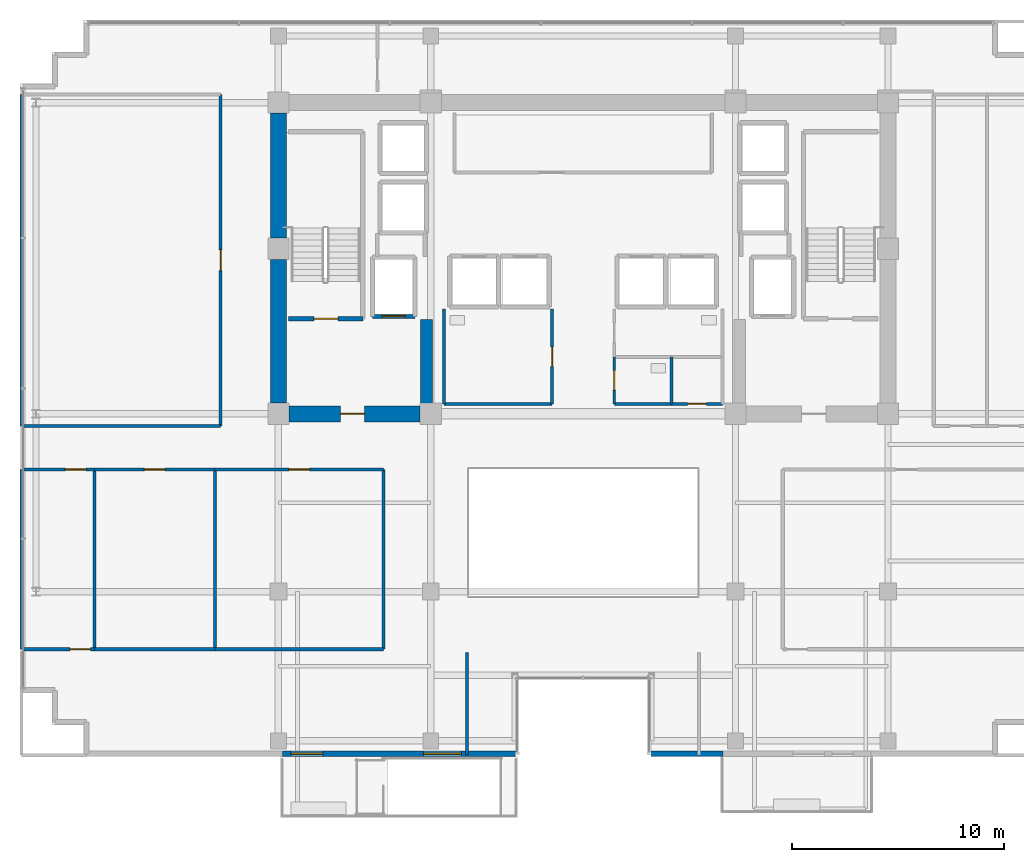
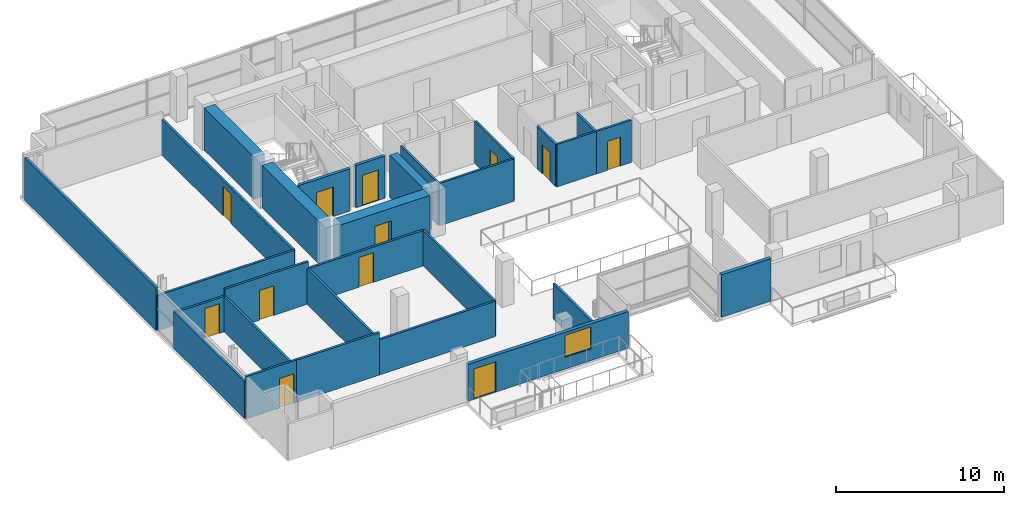
# One storey, part 17 of 23: 29 walls, 12 doors, 1 window, 13 openings.
"""IFC4 building model written with IfcOpenShell, lengths in metres."""

from ifc_helpers import new_model, si_unit, direction, frame, frame_2d, origin, place, context, subcontext, project, spatial, rectangle, extrude, source, transform, mapped, material, layer, layer_set, type_object, element, fill, save


model = new_model("IFC4")

# Units and contexts
model_context = context("Model", 3, precision=1e-05, world=origin(), true_north=direction((0.0, 1.0)))
body_context = subcontext(model_context, "Body", "Model", "MODEL_VIEW")
ifc_project = project(units=[si_unit("LENGTHUNIT", "METRE"), si_unit("AREAUNIT", "SQUARE_METRE"), si_unit("VOLUMEUNIT", "CUBIC_METRE"), si_unit("PLANEANGLEUNIT", "RADIAN"), si_unit("MASSUNIT", "GRAM", prefix="KILO")], contexts=[model_context])

# Site, building, storey
site_placement = place(None, origin())
site = spatial("IfcSite", under=ifc_project, at=site_placement, CompositionType="ELEMENT")
building_placement = place(site_placement, origin())
building = spatial("IfcBuilding", under=site, at=building_placement, Name="Zarnakvel Exchange Tower", CompositionType="ELEMENT")
storey_placement = place(building_placement, frame((0.0, 0.0, 149.5)))
storey = spatial("IfcBuildingStorey", under=building, at=storey_placement, Name="L41", CompositionType="ELEMENT", Elevation=149.5)

# Walls
ifc_material_1 = material(Name="Concrete C60/75", Category="concrete")
ifc_layer_1 = layer(ifc_material_1, 0.75)
ifc_layer_set_1 = layer_set([ifc_layer_1], Name="Concrete C60/75")
wall_type_1 = type_object("IfcWallType", Name="CW-C3", PredefinedType="SHEAR", material=ifc_layer_set_1)
wall_1_placement = place(storey_placement, frame((-14.39990234375, -0.699951171875, 0.0), z_axis=(0.0, 0.0, 1.0), x_axis=(0.0, 1.0, 0.0)))
element("IfcWall", 1, at=wall_1_placement, inside=storey, type_object=wall_type_1, Name="L41 Rear Core Shear Wall W1 (CW-C3)", PredefinedType="SHEAR", context=body_context, shape_type="SweptSolid", body=[
    extrude(rectangle(XDim=6.800048828125, YDim=0.75, at=frame_2d((3.39990234375, 0.0))), origin(), (0.0, 0.0, 1.0), 3.074951171875),
])
wall_2_placement = place(storey_placement, frame((-14.39990234375, 7.10009765625, 0.0), z_axis=(0.0, 0.0, 1.0), x_axis=(0.0, 1.0, 0.0)))
element("IfcWall", 2, at=wall_2_placement, inside=storey, type_object=wall_type_1, Name="L41 Rear Core Shear Wall W2 (CW-C3)", PredefinedType="SHEAR", context=body_context, shape_type="SweptSolid", body=[
    extrude(rectangle(XDim=5.89990234375, YDim=0.75, at=frame_2d((2.949951171875, 0.0))), origin(), (0.0, 0.0, 1.0), 3.074951171875),
])

# Wall, opening, door
wall_3_placement = place(storey_placement, frame((-7.699951171875, -1.199951171875, 0.0), z_axis=(0.0, 0.0, 1.0), x_axis=(-1.0, 0.0, 0.0)))
wall_3 = element("IfcWall", 3, at=wall_3_placement, inside=storey, type_object=wall_type_1, Name="L41 Rear Core Shear Wall SW (CW-C3)", PredefinedType="SHEAR", context=body_context, shape_type="SweptSolid", body=[
    extrude(rectangle(XDim=6.199951171875, YDim=0.75, at=frame_2d((3.10009765625, 0.0))), origin(), (0.0, 0.0, 1.0), 3.074951171875),
])
opening_1_placement = place(wall_3_placement, frame((2.625, 0.0, 0.0)))
opening_1 = element("IfcOpeningElement", 4, at=opening_1_placement, cuts=wall_3, Name="Opening D-L41-03", PredefinedType="OPENING", context=body_context, shape_type="SweptSolid", body=[
    extrude(rectangle(XDim=1.14990234375, YDim=2.14990234375, at=frame_2d((0.574951171875, 1.074951171875))), frame((0.0, 0.385009765625, 0.0), z_axis=(0.0, -1.0, 0.0), x_axis=(1.0, 0.0, 0.0)), (0.0, 0.0, 1.0), 0.77001953125),
])
ifc_material_2 = material(Name="Painted Galvanised Steel S355", Category="steel")
door_type_1 = type_object("IfcDoorType", Name="DT-04", OperationType="NOTDEFINED", PredefinedType="DOOR", material=ifc_material_2)
shared_shape_1 = source(origin(), body_context, "Body", "SweptSolid", [
    extrude(rectangle(XDim=1.14990234375, YDim=2.14990234375, at=frame_2d((0.574951171875, 1.074951171875))), frame((0.0, 0.02490234375, 0.0), z_axis=(0.0, -1.0, 0.0), x_axis=(1.0, 0.0, 0.0)), (0.0, 0.0, 1.0), 0.050048828125),
])
door_1_placement = place(opening_1_placement, origin())
door_1 = element("IfcDoor", 5, at=door_1_placement, inside=storey, type_object=door_type_1, Name="L41 Firefighting Lobby West Door D-L41-03", OperationType="SINGLE_SWING_RIGHT", OverallHeight=2.14990234375, OverallWidth=1.14990234375, PredefinedType="DOOR", context=body_context, shape_type="MappedRepresentation", body=[
    mapped(shared_shape_1, transform((0.0, 0.0, 0.0), x_axis=(1.0, 0.0, 0.0), y_axis=(0.0, 1.0, 0.0), z_axis=(0.0, 0.0, 1.0), scale=1.0)),
])
fill(opening_1, door_1)

# Wall
ifc_layer_2 = layer(ifc_material_1, 0.550048828125)
ifc_layer_set_2 = layer_set([ifc_layer_2], Name="Concrete C60/75")
wall_type_2 = type_object("IfcWallType", Name="CW-C4", PredefinedType="SHEAR", material=ifc_layer_set_2)
wall_4_placement = place(storey_placement, frame((-7.39990234375, -0.824951171875, 0.0), z_axis=(0.0, 0.0, 1.0), x_axis=(0.0, 1.0, 0.0)))
element("IfcWall", 6, at=wall_4_placement, inside=storey, type_object=wall_type_2, Name="L41 Rear Core Shear Wall IW (CW-C4)", PredefinedType="SHEAR", context=body_context, shape_type="SweptSolid", body=[
    extrude(rectangle(XDim=4.074951171875, YDim=0.550048828125, at=frame_2d((2.03759765625, 0.0))), origin(), (0.0, 0.0, 1.0), 3.074951171875),
])

# Wall, openings, door, window
ifc_material_3 = material(Name="Precast concrete C40/50", Category="concrete")
ifc_layer_3 = layer(ifc_material_3, 0.239990234375)
ifc_layer_set_3 = layer_set([ifc_layer_3], Name="Precast concrete C40/50")
wall_type_3 = type_object("IfcWallType", Name="EW-02", PredefinedType="SOLIDWALL", material=ifc_layer_set_3)
wall_5_placement = place(storey_placement, frame((-3.199951171875, -17.260009765625, 0.0), z_axis=(0.0, 0.0, 1.0), x_axis=(-1.0, 0.0, 0.0)))
wall_5 = element("IfcWall", 7, at=wall_5_placement, inside=storey, type_object=wall_type_3, Name="L41 Exterior Precast Spandrel Wall EW-SPTER-L41 (EW-02)", PredefinedType="SOLIDWALL", context=body_context, shape_type="SweptSolid", body=[
    extrude(rectangle(XDim=11.0, YDim=0.239990234375, at=frame_2d((5.5, 0.0))), origin(), (0.0, 0.0, 1.0), 2.6650390625),
])
opening_2_placement = place(wall_5_placement, frame((9.10009765625, 0.0, 0.0)))
opening_2 = element("IfcOpeningElement", 8, at=opening_2_placement, cuts=wall_5, Name="Opening TD-L41-SP", PredefinedType="OPENING", context=body_context, shape_type="SweptSolid", body=[
    extrude(rectangle(XDim=1.5, YDim=2.199951171875, at=frame_2d((0.75, 1.10009765625))), frame((0.0, 0.1298828125, 0.0), z_axis=(0.0, -1.0, 0.0), x_axis=(1.0, 0.0, 0.0)), (0.0, 0.0, 1.0), 0.260009765625),
])
opening_3_placement = place(wall_5_placement, frame((2.550048828125, 0.0, 0.85009765625)))
opening_3 = element("IfcOpeningElement", 9, at=opening_3_placement, cuts=wall_5, Name="Opening WN-05", PredefinedType="OPENING", context=body_context, shape_type="SweptSolid", body=[
    extrude(rectangle(XDim=1.800048828125, YDim=1.60009765625, at=frame_2d((0.89990234375, 0.800048828125))), frame((0.0, 0.1298828125, 0.0), z_axis=(0.0, -1.0, 0.0), x_axis=(1.0, 0.0, 0.0)), (0.0, 0.0, 1.0), 0.260009765625),
])
ifc_material_4 = material(Name="Architectural Bronze Anodised Aluminium", Category="aluminium")
door_type_2 = type_object("IfcDoorType", Name="DT-10", OperationType="NOTDEFINED", PredefinedType="DOOR", material=ifc_material_4)
shared_shape_2 = source(origin(), body_context, "Body", "SweptSolid", [
    extrude(rectangle(XDim=1.5, YDim=2.199951171875, at=frame_2d((0.75, 1.10009765625))), frame((0.0, 0.02490234375, 0.0), z_axis=(0.0, -1.0, 0.0), x_axis=(1.0, 0.0, 0.0)), (0.0, 0.0, 1.0), 0.050048828125),
])
door_2_placement = place(opening_2_placement, origin())
door_2 = element("IfcDoor", 10, at=door_2_placement, inside=storey, type_object=door_type_2, Name="L41 Spiral Sky-Terrace Access Door TD-L41-SP", OperationType="DOUBLE_DOOR_SINGLE_SWING", OverallHeight=2.199951171875, OverallWidth=1.5, PredefinedType="DOOR", context=body_context, shape_type="MappedRepresentation", body=[
    mapped(shared_shape_2, transform((0.0, 0.0, 0.0), x_axis=(1.0, 0.0, 0.0), y_axis=(0.0, 1.0, 0.0), z_axis=(0.0, 0.0, 1.0), scale=1.0)),
])
fill(opening_2, door_2)
ifc_material_5 = material(Name="Double Low-E Laminated Vision Glass", Category="glass")
window_type = type_object("IfcWindowType", Name="WN-05", PartitioningType="SINGLE_PANEL", PredefinedType="WINDOW", material=ifc_material_5)
shared_shape_3 = source(origin(), body_context, "Body", "SweptSolid", [
    extrude(rectangle(XDim=1.800048828125, YDim=1.60009765625, at=frame_2d((0.89990234375, 0.800048828125))), frame((0.0, 0.030029296875, 0.0), z_axis=(0.0, -1.0, 0.0), x_axis=(1.0, 0.0, 0.0)), (0.0, 0.0, 1.0), 0.06005859375),
])
window_placement = place(opening_3_placement, origin())
window = element("IfcWindow", 11, at=window_placement, inside=storey, type_object=window_type, Name="L41 Spiral Sky-Terrace Lounge Window", OverallHeight=1.60009765625, OverallWidth=1.800048828125, PartitioningType="SINGLE_PANEL", PredefinedType="WINDOW", context=body_context, shape_type="MappedRepresentation", body=[
    mapped(shared_shape_3, transform((0.0, 0.0, 0.0), x_axis=(1.0, 0.0, 0.0), y_axis=(0.0, 1.0, 0.0), z_axis=(0.0, 0.0, 1.0), scale=1.0)),
])
fill(opening_3, window)

# Wall
wall_6_placement = place(storey_placement, frame((3.199951171875, -17.260009765625, 0.0), z_axis=(0.0, 0.0, 1.0), x_axis=(1.0, 0.0, 0.0)))
element("IfcWall", 12, at=wall_6_placement, inside=storey, type_object=wall_type_3, Name="L41 Exterior Precast Spandrel Wall EWC-L41-16 (EW-02)", PredefinedType="SOLIDWALL", context=body_context, shape_type="SweptSolid", body=[
    extrude(rectangle(XDim=3.400146484375, YDim=0.239990234375, at=frame_2d((1.7001953125, 0.0))), origin(), (0.0, 0.0, 1.0), 3.074951171875),
])

# Wall, opening, door
ifc_material_6 = material(Name="Fire-Rated Gypsum Stud Partition", Category="gypsum")
ifc_layer_4 = layer(ifc_material_6, 0.14990234375)
ifc_layer_set_4 = layer_set([ifc_layer_4], Name="Fire-Rated Gypsum Stud Partition")
wall_type_4 = type_object("IfcWallType", Name="PT-01", PredefinedType="PARTITIONING", material=ifc_layer_set_4)
wall_7_placement = place(storey_placement, frame((6.580078125, -0.72998046875, 0.0), z_axis=(0.0, 0.0, 1.0), x_axis=(-1.0, 0.0, 0.0)))
wall_7 = element("IfcWall", 13, at=wall_7_placement, inside=storey, type_object=wall_type_4, Name="L41 Partition Wall PWALL-L41-023 (PT-01)", PredefinedType="PARTITIONING", context=body_context, shape_type="SweptSolid", body=[
    extrude(rectangle(XDim=2.400146484375, YDim=0.14990234375, at=frame_2d((1.2001953125, 0.0))), origin(), (0.0, 0.0, 1.0), 3.074951171875),
])
opening_4_placement = place(wall_7_placement, frame((0.760009765625, 0.0, 0.0)))
opening_4 = element("IfcOpeningElement", 14, at=opening_4_placement, cuts=wall_7, Name="Opening D-L41-09", PredefinedType="OPENING", context=body_context, shape_type="SweptSolid", body=[
    extrude(rectangle(XDim=0.8798828125, YDim=2.10009765625, at=frame_2d((0.43994140625, 1.050048828125))), frame((0.0, 0.0849609375, 0.0), z_axis=(0.0, -1.0, 0.0), x_axis=(1.0, 0.0, 0.0)), (0.0, 0.0, 1.0), 0.169921875),
])
door_type_3 = type_object("IfcDoorType", Name="DT-08", OperationType="NOTDEFINED", PredefinedType="DOOR", material=ifc_material_2)
shared_shape_4 = source(origin(), body_context, "Body", "SweptSolid", [
    extrude(rectangle(XDim=0.8798828125, YDim=2.10009765625, at=frame_2d((0.43994140625, 1.050048828125))), frame((0.0, 0.02490234375, 0.0), z_axis=(0.0, -1.0, 0.0), x_axis=(1.0, 0.0, 0.0)), (0.0, 0.0, 1.0), 0.050048828125),
])
door_3_placement = place(opening_4_placement, origin())
door_3 = element("IfcDoor", 15, at=door_3_placement, inside=storey, type_object=door_type_3, Name="L41 Cleaners Store Door D-L41-09", OperationType="SINGLE_SWING_RIGHT", OverallHeight=2.10009765625, OverallWidth=0.8798828125, PredefinedType="DOOR", context=body_context, shape_type="MappedRepresentation", body=[
    mapped(shared_shape_4, transform((0.0, 0.0, 0.0), x_axis=(1.0, 0.0, 0.0), y_axis=(0.0, 1.0, 0.0), z_axis=(0.0, 0.0, 1.0), scale=1.0)),
])
fill(opening_4, door_3)

wall_8_placement = place(storey_placement, frame((-23.0869140625, -12.320068359375, 0.0), z_axis=(0.0, 0.0, 1.0), x_axis=(-1.0, 0.0, 0.0)))
wall_8 = element("IfcWall", 16, at=wall_8_placement, inside=storey, type_object=wall_type_4, Name="L41 Partition Wall PWALL-L41-025 (PT-01)", PredefinedType="PARTITIONING", context=body_context, shape_type="SweptSolid", body=[
    extrude(rectangle(XDim=3.443115234375, YDim=0.14990234375, at=frame_2d((1.7216796875, 0.0))), origin(), (0.0, 0.0, 1.0), 3.074951171875),
])
opening_5_placement = place(wall_8_placement, frame((0.179931640625, 0.0, 0.0)))
opening_5 = element("IfcOpeningElement", 17, at=opening_5_placement, cuts=wall_8, Name="Opening D-L41-13", PredefinedType="OPENING", context=body_context, shape_type="SweptSolid", body=[
    extrude(rectangle(XDim=0.97998046875, YDim=2.14990234375, at=frame_2d((0.489990234375, 1.074951171875))), frame((0.0, 0.0849609375, 0.0), z_axis=(0.0, -1.0, 0.0), x_axis=(1.0, 0.0, 0.0)), (0.0, 0.0, 1.0), 0.169921875),
])
ifc_material_7 = material(Name="Timber Acoustic Veneer", Category="wood")
door_type_4 = type_object("IfcDoorType", Name="DT-05", OperationType="NOTDEFINED", PredefinedType="DOOR", material=ifc_material_7)
shared_shape_5 = source(origin(), body_context, "Body", "SweptSolid", [
    extrude(rectangle(XDim=0.97998046875, YDim=2.14990234375, at=frame_2d((0.489990234375, 1.074951171875))), frame((0.0, 0.02490234375, 0.0), z_axis=(0.0, -1.0, 0.0), x_axis=(1.0, 0.0, 0.0)), (0.0, 0.0, 1.0), 0.050048828125),
])
door_4_placement = place(opening_5_placement, origin())
door_4 = element("IfcDoor", 18, at=door_4_placement, inside=storey, type_object=door_type_4, Name="L41 Sky Lobby Concourse Door D-L41-13", OperationType="SINGLE_SWING_RIGHT", OverallHeight=2.14990234375, OverallWidth=0.97998046875, PredefinedType="DOOR", context=body_context, shape_type="MappedRepresentation", body=[
    mapped(shared_shape_5, transform((0.0, 0.0, 0.0), x_axis=(1.0, 0.0, 0.0), y_axis=(0.0, 1.0, 0.0), z_axis=(0.0, 0.0, 1.0), scale=1.0)),
])
fill(opening_5, door_4)

wall_9_placement = place(storey_placement, frame((-26.530029296875, -3.830078125, 0.0), z_axis=(0.0, 0.0, 1.0), x_axis=(1.0, 0.0, 0.0)))
wall_9 = element("IfcWall", 19, at=wall_9_placement, inside=storey, type_object=wall_type_4, Name="L41 Partition Wall PWALL-L41-026 (PT-01)", PredefinedType="PARTITIONING", context=body_context, shape_type="SweptSolid", body=[
    extrude(rectangle(XDim=3.443115234375, YDim=0.14990234375, at=frame_2d((1.7216796875, 0.0))), origin(), (0.0, 0.0, 1.0), 2.56494140625),
])
opening_6_placement = place(wall_9_placement, frame((2.072998046875, 0.0, 0.0)))
opening_6 = element("IfcOpeningElement", 20, at=opening_6_placement, cuts=wall_9, Name="Opening D-L41-10", PredefinedType="OPENING", context=body_context, shape_type="SweptSolid", body=[
    extrude(rectangle(XDim=0.97998046875, YDim=2.14990234375, at=frame_2d((0.489990234375, 1.074951171875))), frame((0.0, 0.0849609375, 0.0), z_axis=(0.0, -1.0, 0.0), x_axis=(1.0, 0.0, 0.0)), (0.0, 0.0, 1.0), 0.169921875),
])
door_5_placement = place(opening_6_placement, origin())
door_5 = element("IfcDoor", 21, at=door_5_placement, inside=storey, type_object=door_type_4, Name="L41 Sky Lobby Concourse Door D-L41-10", OperationType="SINGLE_SWING_LEFT", OverallHeight=2.14990234375, OverallWidth=0.97998046875, PredefinedType="DOOR", context=body_context, shape_type="MappedRepresentation", body=[
    mapped(shared_shape_5, transform((0.0, 0.0, 0.0), x_axis=(1.0, 0.0, 0.0), y_axis=(0.0, 1.0, 0.0), z_axis=(0.0, 0.0, 1.0), scale=1.0)),
])
fill(opening_6, door_5)

# Walls
wall_10_placement = place(storey_placement, frame((-26.530029296875, -12.320068359375, 0.0), z_axis=(0.0, 0.0, 1.0), x_axis=(0.0, 1.0, 0.0)))
element("IfcWall", 22, at=wall_10_placement, inside=storey, type_object=wall_type_4, Name="L41 Partition Wall PWALL-L41-027 (PT-01)", PredefinedType="PARTITIONING", context=body_context, shape_type="SweptSolid", body=[
    extrude(rectangle(XDim=8.489990234375, YDim=0.14990234375, at=frame_2d((4.2451171875, 0.0))), origin(), (0.0, 0.0, 1.0), 2.6650390625),
])
wall_11_placement = place(storey_placement, frame((-23.0869140625, -3.830078125, 0.0), z_axis=(0.0, 0.0, 1.0), x_axis=(0.0, -1.0, 0.0)))
element("IfcWall", 23, at=wall_11_placement, inside=storey, type_object=wall_type_4, Name="L41 Partition Wall PWALL-L41-028 (PT-01)", PredefinedType="PARTITIONING", context=body_context, shape_type="SweptSolid", body=[
    extrude(rectangle(XDim=8.489990234375, YDim=0.14990234375, at=frame_2d((4.2451171875, 0.0))), origin(), (0.0, 0.0, 1.0), 2.56494140625),
])
wall_12_placement = place(storey_placement, frame((-17.386962890625, -12.320068359375, 0.0), z_axis=(0.0, 0.0, 1.0), x_axis=(-1.0, 0.0, 0.0)))
element("IfcWall", 24, at=wall_12_placement, inside=storey, type_object=wall_type_4, Name="L41 Partition Wall PWALL-L41-029 (PT-01)", PredefinedType="PARTITIONING", context=body_context, shape_type="SweptSolid", body=[
    extrude(rectangle(XDim=5.699951171875, YDim=0.14990234375, at=frame_2d((2.85009765625, 0.0))), origin(), (0.0, 0.0, 1.0), 3.074951171875),
])

# Wall, opening, door
wall_13_placement = place(storey_placement, frame((-23.0869140625, -3.830078125, 0.0), z_axis=(0.0, 0.0, 1.0), x_axis=(1.0, 0.0, 0.0)))
wall_13 = element("IfcWall", 25, at=wall_13_placement, inside=storey, type_object=wall_type_4, Name="L41 Partition Wall PWALL-L41-030 (PT-01)", PredefinedType="PARTITIONING", context=body_context, shape_type="SweptSolid", body=[
    extrude(rectangle(XDim=5.699951171875, YDim=0.14990234375, at=frame_2d((2.85009765625, 0.0))), origin(), (0.0, 0.0, 1.0), 3.074951171875),
])
opening_7_placement = place(wall_13_placement, frame((2.360107421875, 0.0, 0.0)))
opening_7 = element("IfcOpeningElement", 26, at=opening_7_placement, cuts=wall_13, Name="Opening D-L41-11", PredefinedType="OPENING", context=body_context, shape_type="SweptSolid", body=[
    extrude(rectangle(XDim=0.97998046875, YDim=2.14990234375, at=frame_2d((0.489990234375, 1.074951171875))), frame((0.0, 0.0849609375, 0.0), z_axis=(0.0, -1.0, 0.0), x_axis=(1.0, 0.0, 0.0)), (0.0, 0.0, 1.0), 0.169921875),
])
door_6_placement = place(opening_7_placement, origin())
door_6 = element("IfcDoor", 27, at=door_6_placement, inside=storey, type_object=door_type_4, Name="L41 Members Club Lounge Door D-L41-11", OperationType="SINGLE_SWING_RIGHT", OverallHeight=2.14990234375, OverallWidth=0.97998046875, PredefinedType="DOOR", context=body_context, shape_type="MappedRepresentation", body=[
    mapped(shared_shape_5, transform((0.0, 0.0, 0.0), x_axis=(1.0, 0.0, 0.0), y_axis=(0.0, 1.0, 0.0), z_axis=(0.0, 0.0, 1.0), scale=1.0)),
])
fill(opening_7, door_6)

# Walls
wall_14_placement = place(storey_placement, frame((-17.386962890625, -3.830078125, 0.0), z_axis=(0.0, 0.0, 1.0), x_axis=(0.0, -1.0, 0.0)))
element("IfcWall", 28, at=wall_14_placement, inside=storey, type_object=wall_type_4, Name="L41 Partition Wall PWALL-L41-031 (PT-01)", PredefinedType="PARTITIONING", context=body_context, shape_type="SweptSolid", body=[
    extrude(rectangle(XDim=8.489990234375, YDim=0.14990234375, at=frame_2d((4.2451171875, 0.0))), origin(), (0.0, 0.0, 1.0), 2.56494140625),
])
wall_15_placement = place(storey_placement, frame((-9.429931640625, -12.320068359375, 0.0), z_axis=(0.0, 0.0, 1.0), x_axis=(-1.0, 0.0, 0.0)))
element("IfcWall", 29, at=wall_15_placement, inside=storey, type_object=wall_type_4, Name="L41 Partition Wall PWALL-L41-032 (PT-01)", PredefinedType="PARTITIONING", context=body_context, shape_type="SweptSolid", body=[
    extrude(rectangle(XDim=7.95703125, YDim=0.14990234375, at=frame_2d((3.978515625, 0.0))), origin(), (0.0, 0.0, 1.0), 2.56494140625),
])

# Wall, opening, door
wall_16_placement = place(storey_placement, frame((-17.386962890625, -3.830078125, 0.0), z_axis=(0.0, 0.0, 1.0), x_axis=(1.0, 0.0, 0.0)))
wall_16 = element("IfcWall", 30, at=wall_16_placement, inside=storey, type_object=wall_type_4, Name="L41 Partition Wall PWALL-L41-033 (PT-01)", PredefinedType="PARTITIONING", context=body_context, shape_type="SweptSolid", body=[
    extrude(rectangle(XDim=7.95703125, YDim=0.14990234375, at=frame_2d((3.978515625, 0.0))), origin(), (0.0, 0.0, 1.0), 2.56494140625),
])
opening_8_placement = place(wall_16_placement, frame((3.488037109375, 0.0, 0.0)))
opening_8 = element("IfcOpeningElement", 31, at=opening_8_placement, cuts=wall_16, Name="Opening D-L41-12", PredefinedType="OPENING", context=body_context, shape_type="SweptSolid", body=[
    extrude(rectangle(XDim=0.97998046875, YDim=2.14990234375, at=frame_2d((0.489990234375, 1.074951171875))), frame((0.0, 0.0849609375, 0.0), z_axis=(0.0, -1.0, 0.0), x_axis=(1.0, 0.0, 0.0)), (0.0, 0.0, 1.0), 0.169921875),
])
door_7_placement = place(opening_8_placement, origin())
door_7 = element("IfcDoor", 32, at=door_7_placement, inside=storey, type_object=door_type_4, Name="L41 Executive Conference Room Door D-L41-12", OperationType="SINGLE_SWING_LEFT", OverallHeight=2.14990234375, OverallWidth=0.97998046875, PredefinedType="DOOR", context=body_context, shape_type="MappedRepresentation", body=[
    mapped(shared_shape_5, transform((0.0, 0.0, 0.0), x_axis=(1.0, 0.0, 0.0), y_axis=(0.0, 1.0, 0.0), z_axis=(0.0, 0.0, 1.0), scale=1.0)),
])
fill(opening_8, door_7)

# Walls
wall_17_placement = place(storey_placement, frame((-9.429931640625, -3.830078125, 0.0), z_axis=(0.0, 0.0, 1.0), x_axis=(0.0, -1.0, 0.0)))
element("IfcWall", 33, at=wall_17_placement, inside=storey, type_object=wall_type_4, Name="L41 Partition Wall PWALL-L41-034 (PT-01)", PredefinedType="PARTITIONING", context=body_context, shape_type="SweptSolid", body=[
    extrude(rectangle(XDim=8.489990234375, YDim=0.14990234375, at=frame_2d((4.2451171875, 0.0))), origin(), (0.0, 0.0, 1.0), 2.56494140625),
])
wall_18_placement = place(storey_placement, frame((-5.47998046875, -12.47998046875, 0.0), z_axis=(0.0, 0.0, 1.0), x_axis=(0.0, -1.0, 0.0)))
element("IfcWall", 34, at=wall_18_placement, inside=storey, type_object=wall_type_4, Name="L41 Partition Wall PWALL-L41-037 (PT-01)", PredefinedType="PARTITIONING", context=body_context, shape_type="SweptSolid", body=[
    extrude(rectangle(XDim=4.85009765625, YDim=0.14990234375, at=frame_2d((2.425048828125, 0.0))), origin(), (0.0, 0.0, 1.0), 2.56494140625),
])
wall_19_placement = place(storey_placement, frame((-17.1298828125, -1.77001953125, 0.0), z_axis=(0.0, 0.0, 1.0), x_axis=(-1.0, 0.0, 0.0)))
element("IfcWall", 35, at=wall_19_placement, inside=storey, type_object=wall_type_4, Name="L41 Partition Wall PWALL-L41-045 (PT-01)", PredefinedType="PARTITIONING", context=body_context, shape_type="SweptSolid", body=[
    extrude(rectangle(XDim=9.400146484375, YDim=0.14990234375, at=frame_2d((4.7001953125, 0.0))), origin(), (0.0, 0.0, 1.0), 2.56494140625),
])
wall_20_placement = place(storey_placement, frame((-26.530029296875, -1.77001953125, 0.0), z_axis=(0.0, 0.0, 1.0), x_axis=(0.0, 1.0, 0.0)))
element("IfcWall", 36, at=wall_20_placement, inside=storey, type_object=wall_type_4, Name="L41 Partition Wall PWALL-L41-047 (PT-01)", PredefinedType="PARTITIONING", context=body_context, shape_type="SweptSolid", body=[
    extrude(rectangle(XDim=15.64990234375, YDim=0.14990234375, at=frame_2d((7.824951171875, 0.0))), origin(), (0.0, 0.0, 1.0), 3.074951171875),
])

# Wall, opening, door
wall_21_placement = place(storey_placement, frame((-17.1298828125, 13.8798828125, 0.0), z_axis=(0.0, 0.0, 1.0), x_axis=(0.0, -1.0, 0.0)))
wall_21 = element("IfcWall", 37, at=wall_21_placement, inside=storey, type_object=wall_type_4, Name="L41 Partition Wall PWALL-L41-048 (PT-01)", PredefinedType="PARTITIONING", context=body_context, shape_type="SweptSolid", body=[
    extrude(rectangle(XDim=15.64990234375, YDim=0.14990234375, at=frame_2d((7.824951171875, 0.0))), origin(), (0.0, 0.0, 1.0), 2.56494140625),
])
opening_9_placement = place(wall_21_placement, frame((7.3349609375, 0.0, 0.0)))
opening_9 = element("IfcOpeningElement", 38, at=opening_9_placement, cuts=wall_21, Name="Opening D-L41-16", PredefinedType="OPENING", context=body_context, shape_type="SweptSolid", body=[
    extrude(rectangle(XDim=0.97998046875, YDim=2.14990234375, at=frame_2d((0.489990234375, 1.074951171875))), frame((0.0, 0.0849609375, 0.0), z_axis=(0.0, -1.0, 0.0), x_axis=(1.0, 0.0, 0.0)), (0.0, 0.0, 1.0), 0.169921875),
])
door_8_placement = place(opening_9_placement, origin())
door_8 = element("IfcDoor", 39, at=door_8_placement, inside=storey, type_object=door_type_4, Name="L41 Client Reception Suite Door D-L41-16", OperationType="SINGLE_SWING_LEFT", OverallHeight=2.14990234375, OverallWidth=0.97998046875, PredefinedType="DOOR", context=body_context, shape_type="MappedRepresentation", body=[
    mapped(shared_shape_5, transform((0.0, 0.0, 0.0), x_axis=(1.0, 0.0, 0.0), y_axis=(0.0, 1.0, 0.0), z_axis=(0.0, 0.0, 1.0), scale=1.0)),
])
fill(opening_9, door_8)

# Walls
ifc_material_8 = material(Name="Moisture-Resistant Tile-Faced Partition", Category="gypsum")
ifc_layer_5 = layer(ifc_material_8, 0.135009765625)
ifc_layer_set_5 = layer_set([ifc_layer_5], Name="Moisture-Resistant Tile-Faced Partition")
wall_type_5 = type_object("IfcWallType", Name="PT-03", PredefinedType="PARTITIONING", material=ifc_layer_set_5)
wall_22_placement = place(storey_placement, frame((-1.469970703125, -0.72998046875, 0.0), z_axis=(0.0, 0.0, 1.0), x_axis=(-1.0, 0.0, 0.0)))
element("IfcWall", 40, at=wall_22_placement, inside=storey, type_object=wall_type_5, Name="L41 Partition Wall PWALL-L41-014 (PT-03)", PredefinedType="PARTITIONING", context=body_context, shape_type="SweptSolid", body=[
    extrude(rectangle(XDim=5.110107421875, YDim=0.135009765625, at=frame_2d((2.55517578125, 0.0))), origin(), (0.0, 0.0, 1.0), 3.074951171875),
])
wall_23_placement = place(storey_placement, frame((-6.580078125, -0.72998046875, 0.0), z_axis=(0.0, 0.0, 1.0), x_axis=(0.0, 1.0, 0.0)))
element("IfcWall", 41, at=wall_23_placement, inside=storey, type_object=wall_type_5, Name="L41 Partition Wall PWALL-L41-015 (PT-03)", PredefinedType="PARTITIONING", context=body_context, shape_type="SweptSolid", body=[
    extrude(rectangle(XDim=4.489990234375, YDim=0.135009765625, at=frame_2d((2.2451171875, 0.0))), origin(), (0.0, 0.0, 1.0), 3.074951171875),
])

# Wall, opening, door
wall_24_placement = place(storey_placement, frame((-1.469970703125, 3.760009765625, 0.0), z_axis=(0.0, 0.0, 1.0), x_axis=(0.0, -1.0, 0.0)))
wall_24 = element("IfcWall", 42, at=wall_24_placement, inside=storey, type_object=wall_type_5, Name="L41 Partition Wall PWALL-L41-016 (PT-03)", PredefinedType="PARTITIONING", context=body_context, shape_type="SweptSolid", body=[
    extrude(rectangle(XDim=4.489990234375, YDim=0.135009765625, at=frame_2d((2.2451171875, 0.0))), origin(), (0.0, 0.0, 1.0), 3.074951171875),
])
opening_10_placement = place(wall_24_placement, frame((1.800048828125, 0.0, 0.0)))
opening_10 = element("IfcOpeningElement", 43, at=opening_10_placement, cuts=wall_24, Name="Opening D-L41-06", PredefinedType="OPENING", context=body_context, shape_type="SweptSolid", body=[
    extrude(rectangle(XDim=0.919921875, YDim=2.10009765625, at=frame_2d((0.4599609375, 1.050048828125))), frame((0.0, 0.077392578125, 0.0), z_axis=(0.0, -1.0, 0.0), x_axis=(1.0, 0.0, 0.0)), (0.0, 0.0, 1.0), 0.155029296875),
])
ifc_material_9 = material(Name="Moisture-Resistant Laminate Timber", Category="wood")
door_type_5 = type_object("IfcDoorType", Name="DT-07", OperationType="NOTDEFINED", PredefinedType="DOOR", material=ifc_material_9)
shared_shape_6 = source(origin(), body_context, "Body", "SweptSolid", [
    extrude(rectangle(XDim=0.919921875, YDim=2.10009765625, at=frame_2d((0.4599609375, 1.050048828125))), frame((0.0, 0.02490234375, 0.0), z_axis=(0.0, -1.0, 0.0), x_axis=(1.0, 0.0, 0.0)), (0.0, 0.0, 1.0), 0.050048828125),
])
door_9_placement = place(opening_10_placement, origin())
door_9 = element("IfcDoor", 44, at=door_9_placement, inside=storey, type_object=door_type_5, Name="L41 Male Toilet Door D-L41-06", OperationType="SINGLE_SWING_LEFT", OverallHeight=2.10009765625, OverallWidth=0.919921875, PredefinedType="DOOR", context=body_context, shape_type="MappedRepresentation", body=[
    mapped(shared_shape_6, transform((0.0, 0.0, 0.0), x_axis=(1.0, 0.0, 0.0), y_axis=(0.0, 1.0, 0.0), z_axis=(0.0, 0.0, 1.0), scale=1.0)),
])
fill(opening_10, door_9)

# Wall
wall_25_placement = place(storey_placement, frame((4.179931640625, -0.72998046875, 0.0), z_axis=(0.0, 0.0, 1.0), x_axis=(-1.0, 0.0, 0.0)))
element("IfcWall", 45, at=wall_25_placement, inside=storey, type_object=wall_type_5, Name="L41 Partition Wall PWALL-L41-020 (PT-03)", PredefinedType="PARTITIONING", context=body_context, shape_type="SweptSolid", body=[
    extrude(rectangle(XDim=2.7099609375, YDim=0.135009765625, at=frame_2d((1.35498046875, 0.0))), origin(), (0.0, 0.0, 1.0), 3.074951171875),
])

# Wall, opening, door
wall_26_placement = place(storey_placement, frame((1.469970703125, -0.72998046875, 0.0), z_axis=(0.0, 0.0, 1.0), x_axis=(0.0, 1.0, 0.0)))
wall_26 = element("IfcWall", 46, at=wall_26_placement, inside=storey, type_object=wall_type_5, Name="L41 Partition Wall PWALL-L41-021 (PT-03)", PredefinedType="PARTITIONING", context=body_context, shape_type="SweptSolid", body=[
    extrude(rectangle(XDim=2.2099609375, YDim=0.135009765625, at=frame_2d((1.10498046875, 0.0))), origin(), (0.0, 0.0, 1.0), 3.074951171875),
])
opening_11_placement = place(wall_26_placement, frame((0.64990234375, 0.0, 0.0)))
opening_11 = element("IfcOpeningElement", 47, at=opening_11_placement, cuts=wall_26, Name="Opening D-L41-08", PredefinedType="OPENING", context=body_context, shape_type="SweptSolid", body=[
    extrude(rectangle(XDim=0.919921875, YDim=2.10009765625, at=frame_2d((0.4599609375, 1.050048828125))), frame((0.0, 0.077392578125, 0.0), z_axis=(0.0, -1.0, 0.0), x_axis=(1.0, 0.0, 0.0)), (0.0, 0.0, 1.0), 0.155029296875),
])
door_10_placement = place(opening_11_placement, origin())
door_10 = element("IfcDoor", 48, at=door_10_placement, inside=storey, type_object=door_type_5, Name="L41 Accessible Toilet Door D-L41-08", OperationType="SINGLE_SWING_LEFT", OverallHeight=2.10009765625, OverallWidth=0.919921875, PredefinedType="DOOR", context=body_context, shape_type="MappedRepresentation", body=[
    mapped(shared_shape_6, transform((0.0, 0.0, 0.0), x_axis=(1.0, 0.0, 0.0), y_axis=(0.0, 1.0, 0.0), z_axis=(0.0, 0.0, 1.0), scale=1.0)),
])
fill(opening_11, door_10)

# Wall
wall_27_placement = place(storey_placement, frame((4.179931640625, 1.47998046875, 0.0), z_axis=(0.0, 0.0, 1.0), x_axis=(0.0, -1.0, 0.0)))
element("IfcWall", 49, at=wall_27_placement, inside=storey, type_object=wall_type_5, Name="L41 Partition Wall PWALL-L41-022 (PT-03)", PredefinedType="PARTITIONING", context=body_context, shape_type="SweptSolid", body=[
    extrude(rectangle(XDim=2.2099609375, YDim=0.135009765625, at=frame_2d((1.10498046875, 0.0))), origin(), (0.0, 0.0, 1.0), 3.074951171875),
])

# Wall, opening, door
ifc_material_10 = material(Name="Concrete C40/50", Category="concrete")
ifc_layer_6 = layer(ifc_material_10, 0.199951171875)
ifc_layer_set_6 = layer_set([ifc_layer_6], Name="Concrete C40/50")
wall_type_6 = type_object("IfcWallType", Name="SW-01", PredefinedType="SOLIDWALL", material=ifc_layer_set_6)
wall_28_placement = place(storey_placement, frame((-7.949951171875, 3.39990234375, 0.0), z_axis=(0.0, 0.0, 1.0), x_axis=(-1.0, 0.0, 0.0)))
wall_28 = element("IfcWall", 50, at=wall_28_placement, inside=storey, type_object=wall_type_6, Name="L41 FL-01 Hoistway Wall South", PredefinedType="SOLIDWALL", context=body_context, shape_type="SweptSolid", body=[
    extrude(rectangle(XDim=2.0, YDim=0.199951171875, at=frame_2d((1.0, 0.0))), origin(), (0.0, 0.0, 1.0), 3.074951171875),
])
opening_12_placement = place(wall_28_placement, frame((0.449951171875, 0.0, 0.0)))
opening_12 = element("IfcOpeningElement", 51, at=opening_12_placement, cuts=wall_28, Name="Opening LD-FL-01-L41", PredefinedType="OPENING", context=body_context, shape_type="SweptSolid", body=[
    extrude(rectangle(XDim=1.10009765625, YDim=2.199951171875, at=frame_2d((0.550048828125, 1.10009765625))), frame((0.0, 0.10986328125, 0.0), z_axis=(0.0, -1.0, 0.0), x_axis=(1.0, 0.0, 0.0)), (0.0, 0.0, 1.0), 0.219970703125),
])
ifc_material_11 = material(Name="Brushed Stainless Steel", Category="steel")
door_type_6 = type_object("IfcDoorType", Name="LDT-01", OperationType="NOTDEFINED", PredefinedType="DOOR", material=ifc_material_11)
shared_shape_7 = source(origin(), body_context, "Body", "SweptSolid", [
    extrude(rectangle(XDim=1.10009765625, YDim=2.199951171875, at=frame_2d((0.550048828125, 1.10009765625))), frame((0.0, 0.02490234375, 0.0), z_axis=(0.0, -1.0, 0.0), x_axis=(1.0, 0.0, 0.0)), (0.0, 0.0, 1.0), 0.050048828125),
])
door_11_placement = place(opening_12_placement, origin())
door_11 = element("IfcDoor", 52, at=door_11_placement, inside=storey, type_object=door_type_6, Name="L41 FL-01 Lift Landing Door LD-FL-01-L41", OperationType="DOUBLE_DOOR_SLIDING", OverallHeight=2.199951171875, OverallWidth=1.10009765625, PredefinedType="DOOR", context=body_context, shape_type="MappedRepresentation", body=[
    mapped(shared_shape_7, transform((0.0, 0.0, 0.0), x_axis=(1.0, 0.0, 0.0), y_axis=(0.0, 1.0, 0.0), z_axis=(0.0, 0.0, 1.0), scale=1.0)),
])
fill(opening_12, door_11)

ifc_layer_7 = layer(ifc_material_10, 0.199951171875)
ifc_layer_set_7 = layer_set([ifc_layer_7], Name="Concrete C40/50")
wall_type_7 = type_object("IfcWallType", Name="SW-02", PredefinedType="SOLIDWALL", material=ifc_layer_set_7)
wall_29_placement = place(storey_placement, frame((-10.409912109375, 3.2900390625, 0.0), z_axis=(0.0, 0.0, 1.0), x_axis=(-1.0, 0.0, 0.0)))
wall_29 = element("IfcWall", 53, at=wall_29_placement, inside=storey, type_object=wall_type_7, Name="L41 Stairwell Core Wall PWALL-L41-001 (SW-02)", PredefinedType="SOLIDWALL", context=body_context, shape_type="SweptSolid", body=[
    extrude(rectangle(XDim=3.52001953125, YDim=0.199951171875, at=frame_2d((1.760009765625, 0.0))), origin(), (0.0, 0.0, 1.0), 3.074951171875),
])
opening_13_placement = place(wall_29_placement, frame((1.1650390625, 0.0, 0.0)))
opening_13 = element("IfcOpeningElement", 54, at=opening_13_placement, cuts=wall_29, Name="Opening D-L41-01", PredefinedType="OPENING", context=body_context, shape_type="SweptSolid", body=[
    extrude(rectangle(XDim=1.14990234375, YDim=2.14990234375, at=frame_2d((0.574951171875, 1.074951171875))), frame((0.0, 0.10986328125, 0.0), z_axis=(0.0, -1.0, 0.0), x_axis=(1.0, 0.0, 0.0)), (0.0, 0.0, 1.0), 0.219970703125),
])
door_12_placement = place(opening_13_placement, origin())
door_12 = element("IfcDoor", 55, at=door_12_placement, inside=storey, type_object=door_type_1, Name="L41 Stairwell ST-01 Door D-L41-01", OperationType="SINGLE_SWING_RIGHT", OverallHeight=2.14990234375, OverallWidth=1.14990234375, PredefinedType="DOOR", context=body_context, shape_type="MappedRepresentation", body=[
    mapped(shared_shape_1, transform((0.0, 0.0, 0.0), x_axis=(1.0, 0.0, 0.0), y_axis=(0.0, 1.0, 0.0), z_axis=(0.0, 0.0, 1.0), scale=1.0)),
])
fill(opening_13, door_12)

save(model, "model.ifc")
